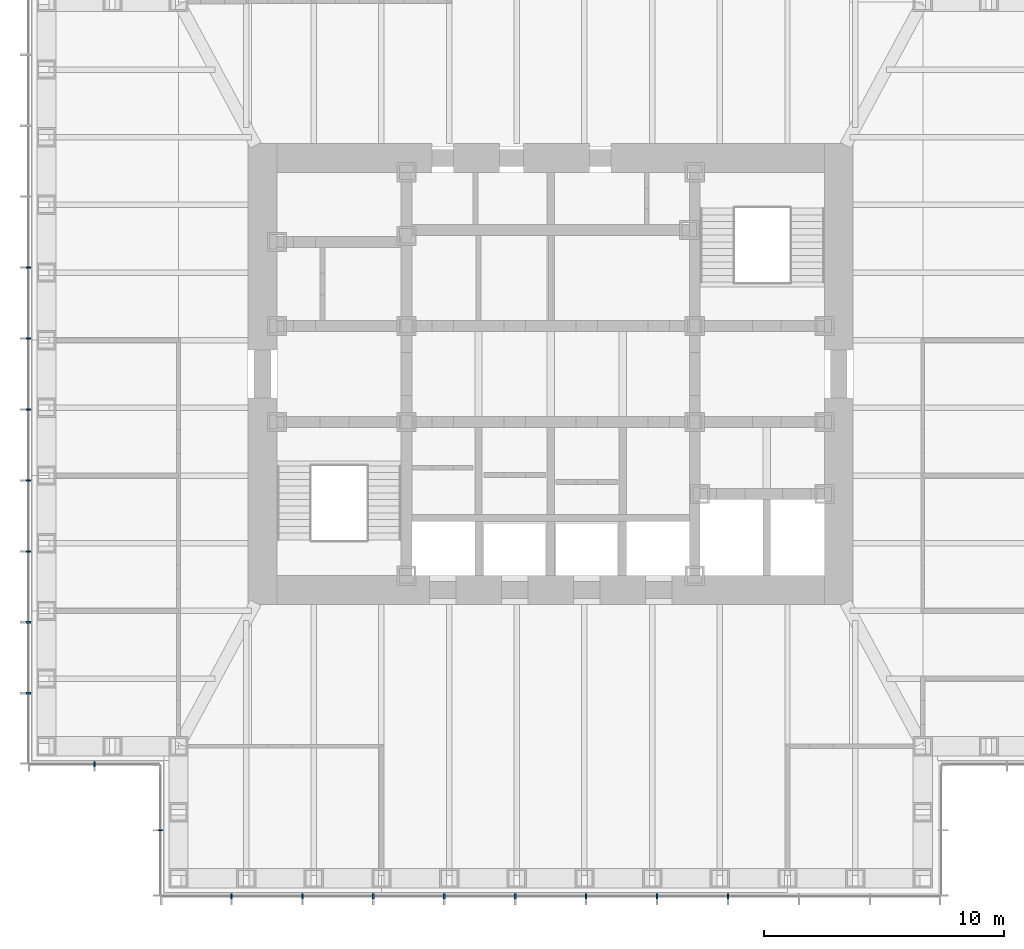
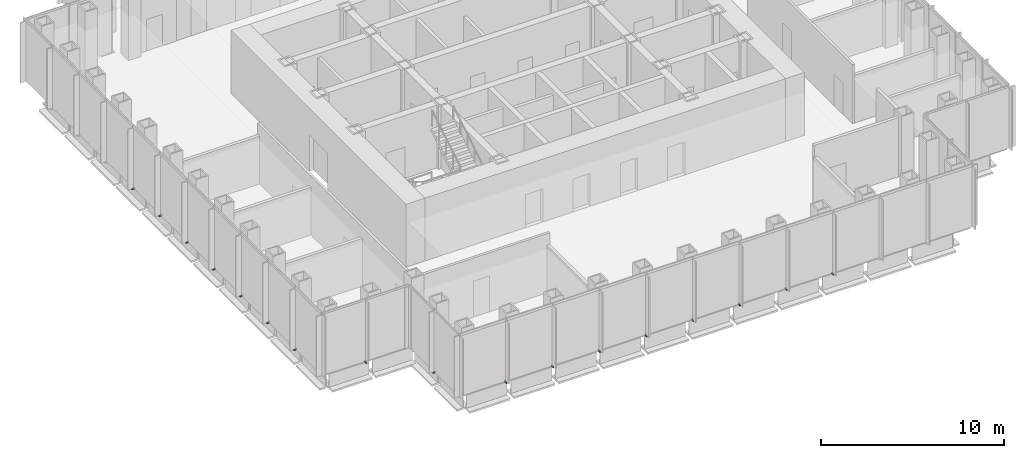
# One storey, part 11 of 16: 17 discrete accessories.
"""IFC4 building model written with IfcOpenShell, lengths in metres."""

from ifc_helpers import new_model, si_unit, direction, frame, origin, origin_2d, place, context, subcontext, project, spatial, rectangle, extrude, element, save


model = new_model("IFC4")

# Units and contexts
model_context = context("Model", 3, precision=1e-05, world=origin(), true_north=direction((0.0, 1.0)))
body_context = subcontext(model_context, "Body", "Model", "MODEL_VIEW")
ifc_project = project(units=[si_unit("LENGTHUNIT", "METRE"), si_unit("AREAUNIT", "SQUARE_METRE"), si_unit("VOLUMEUNIT", "CUBIC_METRE"), si_unit("PLANEANGLEUNIT", "RADIAN"), si_unit("MASSUNIT", "GRAM", prefix="KILO")], contexts=[model_context])

# Site, building, storey
site_placement = place(None, origin())
site = spatial("IfcSite", under=ifc_project, at=site_placement, CompositionType="ELEMENT")
building_placement = place(site_placement, origin())
building = spatial("IfcBuilding", under=site, at=building_placement, Name="Daluyong Arena Tower", CompositionType="ELEMENT")
storey_placement = place(building_placement, frame((0.0, 0.0, 240.10009765625)))
storey = spatial("IfcBuildingStorey", under=building, at=storey_placement, Name="L54", CompositionType="ELEMENT", Elevation=240.10009765625)

# Discrete accessories
for number, where, z_axis, x_axis, name in (
    (1, (42.70458984375, 58.25, -0.10009765625), (0.0, 0.0, 1.0), (1.0, 0.0, 0.0), "curtain wall L54 S anchor bracket 2"),
    (2, (45.6591796875, 58.25, -0.10009765625), (0.0, 0.0, 1.0), (1.0, 0.0, 0.0), "curtain wall L54 S anchor bracket 3"),
    (3, (48.613525390625, 58.25, -0.10009765625), (0.0, 0.0, 1.0), (1.0, 0.0, 0.0), "curtain wall L54 S anchor bracket 4"),
    (4, (51.568115234375, 58.25, -0.10009765625), (0.0, 0.0, 1.0), (1.0, 0.0, 0.0), "curtain wall L54 S anchor bracket 5"),
    (5, (54.522705078125, 58.25, -0.10009765625), (0.0, 0.0, 1.0), (1.0, 0.0, 0.0), "curtain wall L54 S anchor bracket 6"),
    (6, (57.477294921875, 58.25, -0.10009765625), (0.0, 0.0, 1.0), (1.0, 0.0, 0.0), "curtain wall L54 S anchor bracket 7"),
    (7, (60.431884765625, 58.25, -0.10009765625), (0.0, 0.0, 1.0), (1.0, 0.0, 0.0), "curtain wall L54 S anchor bracket 8"),
    (8, (63.386474609375, 58.25, -0.10009765625), (0.0, 0.0, 1.0), (1.0, 0.0, 0.0), "curtain wall L54 S anchor bracket 9"),
    (9, (34.25, 84.431884765625, -0.10009765625), (0.0, 0.0, 1.0), (0.0, -1.0, 0.0), "curtain wall L54 W anchor bracket 5"),
    (10, (34.25, 81.477294921875, -0.10009765625), (0.0, 0.0, 1.0), (0.0, -1.0, 0.0), "curtain wall L54 W anchor bracket 6"),
    (11, (34.25, 78.522705078125, -0.10009765625), (0.0, 0.0, 1.0), (0.0, -1.0, 0.0), "curtain wall L54 W anchor bracket 7"),
    (12, (34.25, 75.568115234375, -0.10009765625), (0.0, 0.0, 1.0), (0.0, -1.0, 0.0), "curtain wall L54 W anchor bracket 8"),
    (13, (34.25, 72.613525390625, -0.10009765625), (0.0, 0.0, 1.0), (0.0, -1.0, 0.0), "curtain wall L54 W anchor bracket 9"),
    (14, (34.25, 69.6591796875, -0.10009765625), (0.0, 0.0, 1.0), (0.0, -1.0, 0.0), "curtain wall L54 W anchor bracket 10"),
    (15, (34.25, 66.70458984375, -0.10009765625), (0.0, 0.0, 1.0), (0.0, -1.0, 0.0), "curtain wall L54 W anchor bracket 11"),
):
    element("IfcDiscreteAccessory", number, at=place(storey_placement, frame(where, z_axis=z_axis, x_axis=x_axis)), inside=storey, Name=name, PredefinedType="BRACKET", context=body_context, shape_type="SweptSolid", body=[
        extrude(rectangle(XDim=0.070068359375, YDim=0.199951171875, at=origin_2d()), origin(), (0.0, 0.0, 1.0), 0.10009765625),
    ])
for number, where, z_axis, x_axis, name in (
    (16, (37.0, 63.75, -0.10009765625), (0.0, 0.0, 1.0), (1.0, 0.0, 0.0), "curtain wall L54 SW-S anchor bracket 2"),
    (17, (39.75, 61.0, -0.10009765625), (0.0, 0.0, 1.0), (0.0, -1.0, 0.0), "curtain wall L54 SW-W anchor bracket 2"),
):
    element("IfcDiscreteAccessory", number, at=place(storey_placement, frame(where, z_axis=z_axis, x_axis=x_axis)), inside=storey, Name=name, PredefinedType="BRACKET", context=body_context, shape_type="SweptSolid", body=[
        extrude(rectangle(XDim=0.06005859375, YDim=0.199951171875, at=origin_2d()), origin(), (0.0, 0.0, 1.0), 0.10009765625),
    ])

save(model, "model.ifc")
